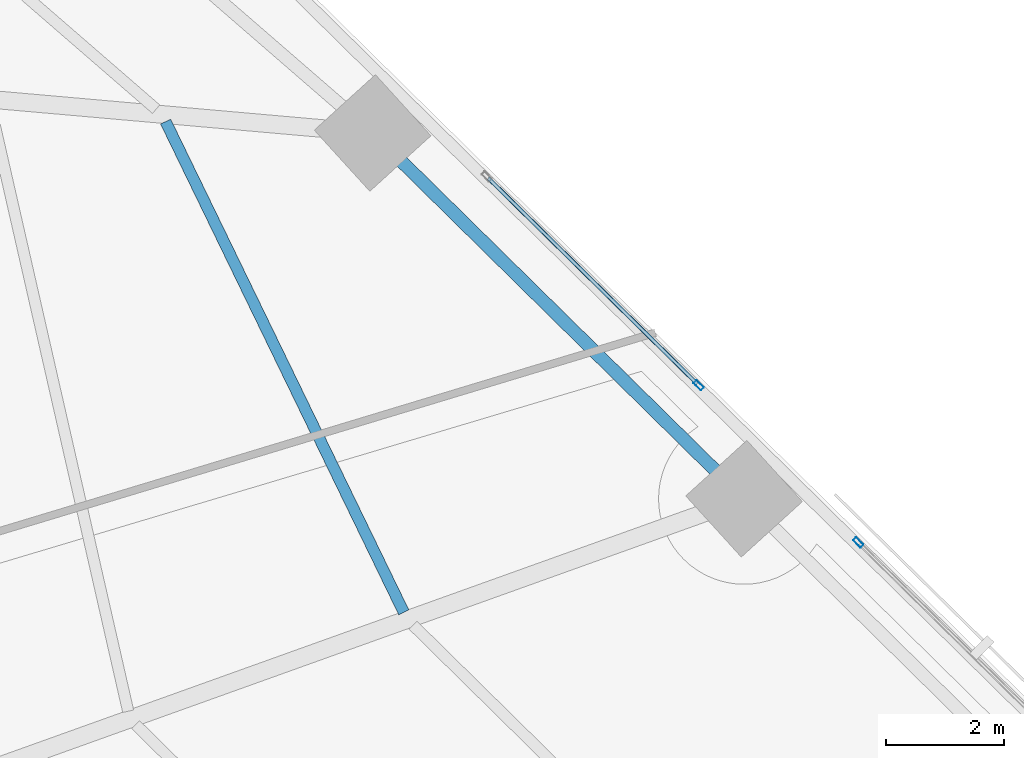
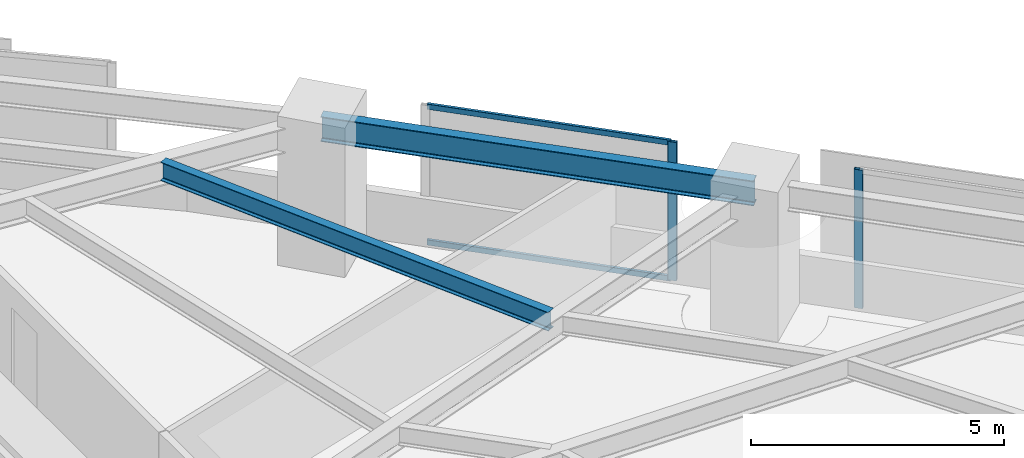
# One storey, part 6 of 18: 4 members, 2 beams, 2 elements without a shape of their own.
"""IFC4 building model written with IfcOpenShell, lengths in metres."""

from ifc_helpers import new_model, si_unit, direction, frame, origin, origin_2d, place, context, subcontext, project, spatial, hollow_rectangle, i_section, extrude, material, material_profile, profile_set, type_object, element, aggregate, save


model = new_model("IFC4")

# Units and contexts
model_context = context("Model", 3, precision=1e-05, world=origin(), true_north=direction((0.0, 1.0)))
body_context = subcontext(model_context, "Body", "Model", "MODEL_VIEW")
ifc_project = project(units=[si_unit("LENGTHUNIT", "METRE"), si_unit("AREAUNIT", "SQUARE_METRE"), si_unit("VOLUMEUNIT", "CUBIC_METRE"), si_unit("PLANEANGLEUNIT", "RADIAN"), si_unit("MASSUNIT", "GRAM", prefix="KILO")], contexts=[model_context])

# Site, building, storey
site_placement = place(None, origin())
site = spatial("IfcSite", under=ifc_project, at=site_placement, CompositionType="ELEMENT")
building_placement = place(site_placement, origin())
building = spatial("IfcBuilding", under=site, at=building_placement, Name="Narakoshi Arena Tower", CompositionType="ELEMENT")
storey_placement = place(building_placement, frame((0.0, 0.0, 44.699951171875)))
storey = spatial("IfcBuildingStorey", under=building, at=storey_placement, Name="L11", CompositionType="ELEMENT", Elevation=44.699951171875)

# Beams
ifc_material_1 = material(Name="Structural steel S355J2", Category="steel")
ifc_material_profile_1 = material_profile(ifc_material_1, i_section(OverallWidth=0.219970703125, OverallDepth=0.60009765625, WebThickness=0.011962890625, FlangeThickness=0.01904296875, FilletRadius=0.02392578125, at=origin_2d()), Name="IPE600")
ifc_profile_set_1 = profile_set([ifc_material_profile_1], Name="Structural steel S355J2")
beam_type_1 = type_object("IfcBeamType", Name="BM-EDGE-600", PredefinedType="BEAM", material=ifc_profile_set_1)
beam_1_placement = place(storey_placement, frame((102.345458984375, 49.373779296875, 3.0400390625), z_axis=(-0.712540689328, 0.70163079041, 0.0), x_axis=(-0.70163079041, -0.712540689328, 0.0)))
element("IfcBeam", 1, at=beam_1_placement, inside=storey, type_object=beam_type_1, Name="L11 Perimeter Edge Girder 07", PredefinedType="BEAM", context=body_context, shape_type="SweptSolid", body=[
    extrude(i_section(OverallWidth=0.219970703125, OverallDepth=0.60009765625, WebThickness=0.011962890625, FlangeThickness=0.01904296875, FilletRadius=0.02392578125, at=origin_2d()), origin(), (0.0, 0.0, 1.0), 8.83935546875),
])
ifc_material_profile_2 = material_profile(ifc_material_1, i_section(OverallWidth=0.18994140625, OverallDepth=0.449951171875, WebThickness=0.009521484375, FlangeThickness=0.0146484375, FilletRadius=0.02099609375, at=origin_2d()), Name="IPE450")
ifc_profile_set_2 = profile_set([ifc_material_profile_2], Name="Structural steel S355J2")
beam_type_2 = type_object("IfcBeamType", Name="BM-SEC-450", PredefinedType="JOIST", material=ifc_profile_set_2)
beam_2_placement = place(storey_placement, frame((96.575927734375, 47.447265625, 3.114990234375), z_axis=(-0.436645839052, 0.89963348717, 0.0), x_axis=(-0.89963348717, -0.436645839052, 0.0)))
element("IfcBeam", 2, at=beam_2_placement, inside=storey, type_object=beam_type_2, Name="L11 Composite Secondary Floor Joist 08", PredefinedType="JOIST", context=body_context, shape_type="SweptSolid", body=[
    extrude(i_section(OverallWidth=0.18994140625, OverallDepth=0.449951171875, WebThickness=0.009521484375, FlangeThickness=0.0146484375, FilletRadius=0.02099609375, at=origin_2d()), origin(), (0.0, 0.0, 1.0), 9.249755859375),
])

# Curtain wall, member
ifc_material_2 = material(Name="Anodised bronze aluminium 6063-T6", Category="aluminium")
curtain_wall_type = type_object("IfcCurtainWallType", Name="CW-HYP-LOW", PredefinedType="NOTDEFINED", material=ifc_material_2)
curtain_wall_1_placement = place(storey_placement, origin())
curtain_wall_1 = element("IfcCurtainWall", 3, at=curtain_wall_1_placement, inside=storey, type_object=curtain_wall_type, Name="L11 Folded Hypotenuse Curtain Wall 1-3", PredefinedType="NOTDEFINED")
ifc_material_profile_3 = material_profile(ifc_material_2, hollow_rectangle(XDim=0.074951171875, YDim=0.179931640625, WallThickness=0.00390625, OuterFilletRadius=0.0048828125, at=origin_2d()), Name="MUL180x75x4")
ifc_profile_set_3 = profile_set([ifc_material_profile_3], Name="Anodised bronze aluminium 6063-T6")
member_type_1 = type_object("IfcMemberType", Name="MEM-MUL-180", PredefinedType="MULLION", material=ifc_profile_set_3)
member_1_placement = place(storey_placement, frame((104.280517578125, 48.63330078125, 0.0), z_axis=(0.0, 0.0, 1.0), x_axis=(-0.701632802488, -0.712538708053, 0.0)))
member_1 = element("IfcMember", 4, at=member_1_placement, type_object=member_type_1, Name="CW-01 mullion 2", PredefinedType="MULLION", context=body_context, shape_type="SweptSolid", body=[
    extrude(hollow_rectangle(XDim=0.074951171875, YDim=0.179931640625, WallThickness=0.00390625, OuterFilletRadius=0.0048828125, at=origin_2d()), origin(), (0.0, 0.0, 1.0), 3.340087890625),
])
aggregate(curtain_wall_1, [member_1])

# Curtain wall, members
curtain_wall_2_placement = place(storey_placement, origin())
curtain_wall_2 = element("IfcCurtainWall", 5, at=curtain_wall_2_placement, inside=storey, type_object=curtain_wall_type, Name="L11 Folded Hypotenuse Curtain Wall 1-4", PredefinedType="NOTDEFINED")
member_2_placement = place(storey_placement, frame((101.574462890625, 51.2978515625, 0.0), z_axis=(0.0, 0.0, 1.0), x_axis=(-0.701632802488, -0.712538708053, 0.0)))
member_2 = element("IfcMember", 6, at=member_2_placement, type_object=member_type_1, Name="CW-01 mullion 1", PredefinedType="MULLION", context=body_context, shape_type="SweptSolid", body=[
    extrude(hollow_rectangle(XDim=0.074951171875, YDim=0.179931640625, WallThickness=0.00390625, OuterFilletRadius=0.0048828125, at=origin_2d()), origin(), (0.0, 0.0, 1.0), 3.340087890625),
])
ifc_material_profile_4 = material_profile(ifc_material_2, hollow_rectangle(XDim=0.06494140625, YDim=0.1298828125, WallThickness=0.00390625, OuterFilletRadius=0.0048828125, at=origin_2d()), Name="TRN130x65x4")
ifc_profile_set_4 = profile_set([ifc_material_profile_4], Name="Anodised bronze aluminium 6063-T6")
member_type_2 = type_object("IfcMemberType", Name="MEM-TRN-130", PredefinedType="USERDEFINED", material=ifc_profile_set_4)
member_3_placement = place(storey_placement, frame((101.547607421875, 51.32421875, 0.032470703125), z_axis=(-0.712542243067, 0.701629212508, 0.0), x_axis=(-0.701629212508, -0.712542243067, 0.0)))
member_3 = element("IfcMember", 7, at=member_3_placement, type_object=member_type_2, Name="CW-01 transom 1.1", ObjectType="TRANSOM", PredefinedType="USERDEFINED", context=body_context, shape_type="SweptSolid", body=[
    extrude(hollow_rectangle(XDim=0.06494140625, YDim=0.1298828125, WallThickness=0.00390625, OuterFilletRadius=0.0048828125, at=origin_2d()), origin(), (0.0, 0.0, 1.0), 4.966552734375),
])
member_4_placement = place(storey_placement, frame((101.547607421875, 51.32421875, 3.3076171875), z_axis=(-0.712542243067, 0.701629212508, 0.0), x_axis=(-0.701629212508, -0.712542243067, 0.0)))
member_4 = element("IfcMember", 8, at=member_4_placement, type_object=member_type_2, Name="CW-01 transom 1.2", ObjectType="TRANSOM", PredefinedType="USERDEFINED", context=body_context, shape_type="SweptSolid", body=[
    extrude(hollow_rectangle(XDim=0.06494140625, YDim=0.1298828125, WallThickness=0.00390625, OuterFilletRadius=0.0048828125, at=origin_2d()), origin(), (0.0, 0.0, 1.0), 4.966552734375),
])
aggregate(curtain_wall_2, [member_2, member_3, member_4])

save(model, "model.ifc")
